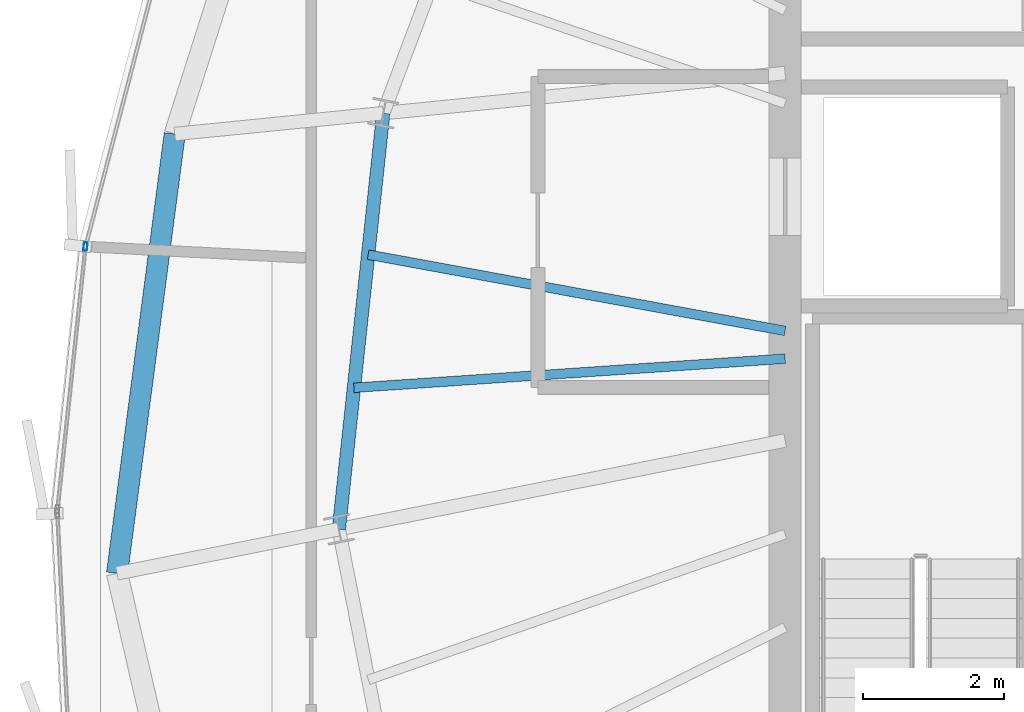
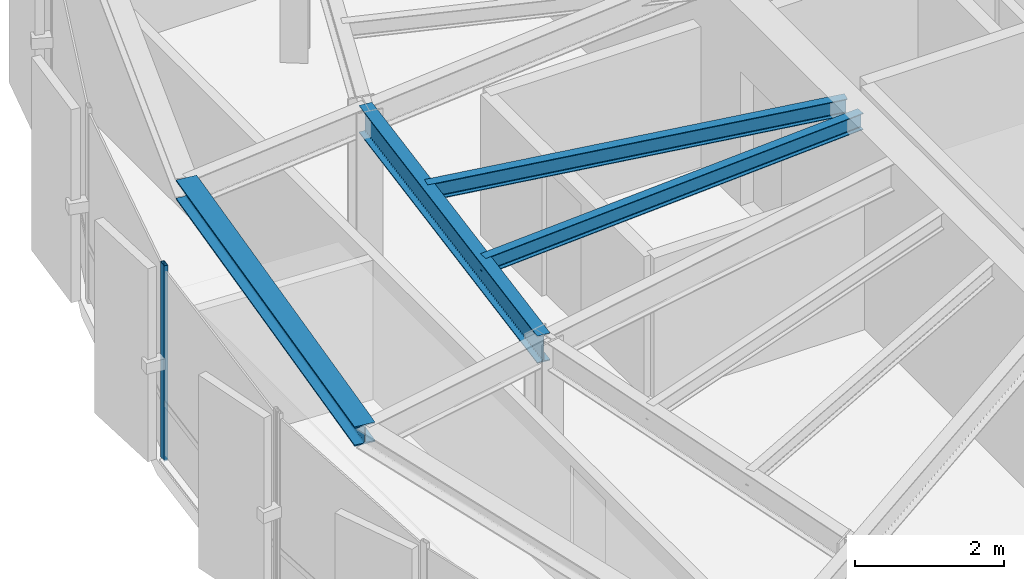
# One storey, part 10 of 31: 4 beams, 1 member, 1 element without a shape of its own.
"""IFC4 building model written with IfcOpenShell, lengths in metres."""

from ifc_helpers import new_model, si_unit, direction, frame, origin, origin_2d, place, context, subcontext, project, spatial, hollow_rectangle, i_section, extrude, source, transform, mapped, material, layer, layer_set, material_profile, profile_set, type_object, element, aggregate, save


model = new_model("IFC4")

# Units and contexts
model_context = context("Model", 3, precision=1e-05, world=origin(), true_north=direction((0.0, 1.0)))
body_context = subcontext(model_context, "Body", "Model", "MODEL_VIEW")
ifc_project = project(units=[si_unit("LENGTHUNIT", "METRE"), si_unit("AREAUNIT", "SQUARE_METRE"), si_unit("VOLUMEUNIT", "CUBIC_METRE"), si_unit("PLANEANGLEUNIT", "RADIAN"), si_unit("MASSUNIT", "GRAM", prefix="KILO"), si_unit("THERMODYNAMICTEMPERATUREUNIT", "KELVIN")], contexts=[model_context])

# Site, building, storey
site_placement = place(None, origin())
site = spatial("IfcSite", under=ifc_project, at=site_placement, CompositionType="ELEMENT")
building_placement = place(site_placement, origin())
building = spatial("IfcBuilding", under=site, at=building_placement, Name="Kethvar Cultural Tower", CompositionType="ELEMENT")
storey_placement = place(building_placement, frame((0.0, 0.0, 287.050048828125)))
storey = spatial("IfcBuildingStorey", under=building, at=storey_placement, Name="L76", CompositionType="ELEMENT", Elevation=287.050048828125)

# Beams
ifc_material_1 = material(Name="Steel S355J2", Category="steel")
ifc_material_profile_1 = material_profile(ifc_material_1, i_section(OverallWidth=0.18994140625, OverallDepth=0.449951171875, WebThickness=0.009521484375, FlangeThickness=0.0146484375, FilletRadius=0.02099609375, at=origin_2d()), Name="Steel S355J2 — IPE450")
ifc_profile_set_1 = profile_set([ifc_material_profile_1], Name="Steel S355J2 — IPE450")
beam_type_1 = type_object("IfcBeamType", Name="BM-IPE450", PredefinedType="BEAM", material=ifc_profile_set_1)
shared_shape_1 = source(origin(), body_context, "Body", "SweptSolid", [
    extrude(i_section(OverallWidth=0.18994140625, OverallDepth=0.449951171875, WebThickness=0.009521484375, FlangeThickness=0.0146484375, FilletRadius=0.02099609375, at=origin_2d()), origin(), (0.0, 0.0, 1.0), 5.92236328125),
])
beam_1_placement = place(storey_placement, frame((32.3125, 30.681884765625, 2.98291015625), z_axis=(-0.106272578913, -0.994337034899, 0.0), x_axis=(0.994337034899, -0.106272578913, 0.0)))
element("IfcBeam", 1, at=beam_1_placement, inside=storey, type_object=beam_type_1, Name="L76 Column Ring Tie Beam CR-08", PredefinedType="BEAM", context=body_context, shape_type="MappedRepresentation", body=[
    mapped(shared_shape_1, transform((0.0, 0.0, 0.0), scale=1.0)),
])
ifc_material_profile_2 = material_profile(ifc_material_1, i_section(OverallWidth=0.135009765625, OverallDepth=0.27001953125, WebThickness=0.006591796875, FlangeThickness=0.01025390625, FilletRadius=0.014892578125, at=origin_2d()), Name="Steel S355J2 — IPE270")
ifc_profile_set_2 = profile_set([ifc_material_profile_2], Name="Steel S355J2 — IPE270")
beam_type_2 = type_object("IfcBeamType", Name="BM-J270", PredefinedType="JOIST", material=ifc_profile_set_2)
shared_shape_2 = source(origin(), body_context, "Body", "SweptSolid", [
    extrude(i_section(OverallWidth=0.135009765625, OverallDepth=0.27001953125, WebThickness=0.006591796875, FlangeThickness=0.01025390625, FilletRadius=0.014892578125, at=origin_2d()), origin(), (0.0, 0.0, 1.0), 5.99951171875),
])
beam_2_placement = place(storey_placement, frame((38.0, 27.60009765625, 3.072998046875), z_axis=(-0.983676616141, 0.179945310742, 0.0), x_axis=(-0.179945310742, -0.983676616141, 0.0)))
element("IfcBeam", 2, at=beam_2_placement, inside=storey, type_object=beam_type_2, Name="L76 Composite Floor Joist J-08A", PredefinedType="JOIST", context=body_context, shape_type="MappedRepresentation", body=[
    mapped(shared_shape_2, transform((0.0, 0.0, 0.0), scale=1.0)),
])
shared_shape_3 = source(origin(), body_context, "Body", "SweptSolid", [
    extrude(i_section(OverallWidth=0.135009765625, OverallDepth=0.27001953125, WebThickness=0.006591796875, FlangeThickness=0.01025390625, FilletRadius=0.014892578125, at=origin_2d()), origin(), (0.0, 0.0, 1.0), 6.116943359375),
])
beam_3_placement = place(storey_placement, frame((38.0, 27.206787109375, 3.072998046875), z_axis=(-0.997733289627, -0.067292516454, 0.0), x_axis=(0.067292516454, -0.997733289627, 0.0)))
element("IfcBeam", 3, at=beam_3_placement, inside=storey, type_object=beam_type_2, Name="L76 Composite Floor Joist J-08B", PredefinedType="JOIST", context=body_context, shape_type="MappedRepresentation", body=[
    mapped(shared_shape_3, transform((0.0, 0.0, 0.0), scale=1.0)),
])
ifc_material_profile_3 = material_profile(ifc_material_1, i_section(OverallWidth=0.300048828125, OverallDepth=0.320068359375, WebThickness=0.011474609375, FlangeThickness=0.0205078125, FilletRadius=0.027099609375, at=origin_2d()), Name="Steel S355J2 — HEB320")
ifc_profile_set_3 = profile_set([ifc_material_profile_3], Name="Steel S355J2 — HEB320")
beam_type_3 = type_object("IfcBeamType", Name="BM-SP320", PredefinedType="SPANDREL", material=ifc_profile_set_3)
shared_shape_4 = source(origin(), body_context, "Body", "SweptSolid", [
    extrude(i_section(OverallWidth=0.300048828125, OverallDepth=0.320068359375, WebThickness=0.011474609375, FlangeThickness=0.0205078125, FilletRadius=0.027099609375, at=origin_2d()), origin(), (0.0, 0.0, 1.0), 6.271728515625),
])
beam_4_placement = place(storey_placement, frame((29.36083984375, 30.386962890625, 3.0478515625), z_axis=(-0.130174566398, -0.99149109036, 0.0), x_axis=(0.99149109036, -0.130174566398, 0.0)))
element("IfcBeam", 4, at=beam_4_placement, inside=storey, type_object=beam_type_3, Name="L76 Perimeter Spandrel Beam SP-08", PredefinedType="SPANDREL", context=body_context, shape_type="MappedRepresentation", body=[
    mapped(shared_shape_4, transform((0.0, 0.0, 0.0), scale=1.0)),
])

# Curtain wall, member
ifc_material_2 = material(Name="Aluminium 6063-T6", Category="aluminium")
ifc_layer = layer(ifc_material_2, 0.179931640625, Name="Aluminium 6063-T6", Category="aluminium")
ifc_layer_set = layer_set([ifc_layer], Name="Aluminium 6063-T6 (180 mm)")
curtain_wall_type = type_object("IfcCurtainWallType", Name="CW-SYS-05-Z56", PredefinedType="NOTDEFINED", material=ifc_layer_set)
curtain_wall_placement = place(storey_placement, origin())
curtain_wall = element("IfcCurtainWall", 5, at=curtain_wall_placement, inside=storey, type_object=curtain_wall_type, Name="L76 Curtain Wall Run 02", PredefinedType="NOTDEFINED")
ifc_material_profile_4 = material_profile(ifc_material_2, hollow_rectangle(XDim=0.054931640625, YDim=0.1201171875, WallThickness=0.00390625, at=origin_2d()), Name="Aluminium 6063-T6 — RHS120x55x4")
ifc_profile_set_4 = profile_set([ifc_material_profile_4], Name="Aluminium 6063-T6 — RHS120x55x4")
member_type = type_object("IfcMemberType", Name="CW-SYS-05-Z56-MUL", PredefinedType="MULLION", material=ifc_profile_set_4)
shared_shape_5 = source(origin(), body_context, "Body", "SweptSolid", [
    extrude(hollow_rectangle(XDim=0.054931640625, YDim=0.1201171875, WallThickness=0.00390625, at=origin_2d()), origin(), (0.0, 0.0, 1.0), 3.2099609375),
])
member_placement = place(storey_placement, frame((28.09765625, 28.794189453125, 0.0), z_axis=(0.0, 0.0, 1.0), x_axis=(0.994374976712, -0.105916975449, 0.0)))
member = element("IfcMember", 6, at=member_placement, type_object=member_type, Name="CW-L76-R02 Mullion 6", PredefinedType="MULLION", context=body_context, shape_type="MappedRepresentation", body=[
    mapped(shared_shape_5, transform((0.0, 0.0, 0.0), scale=1.0)),
])
aggregate(curtain_wall, [member])

save(model, "model.ifc")
